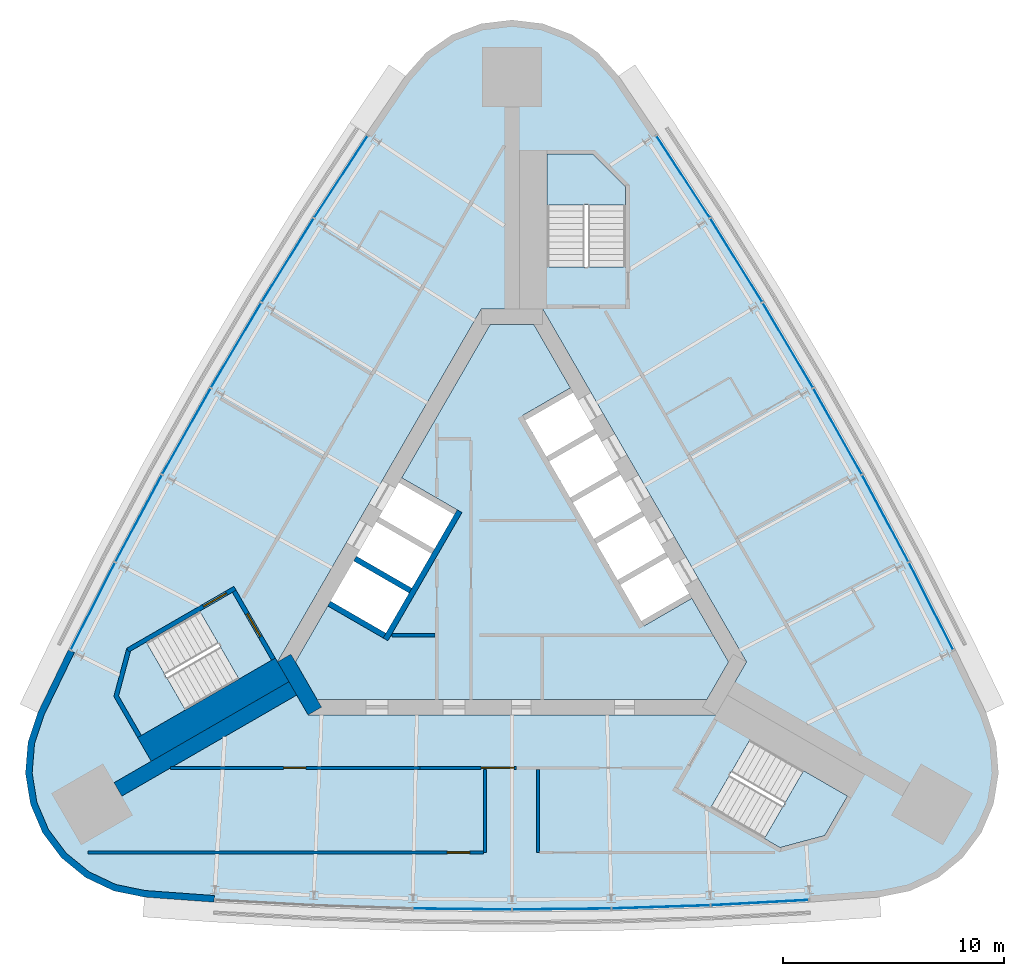
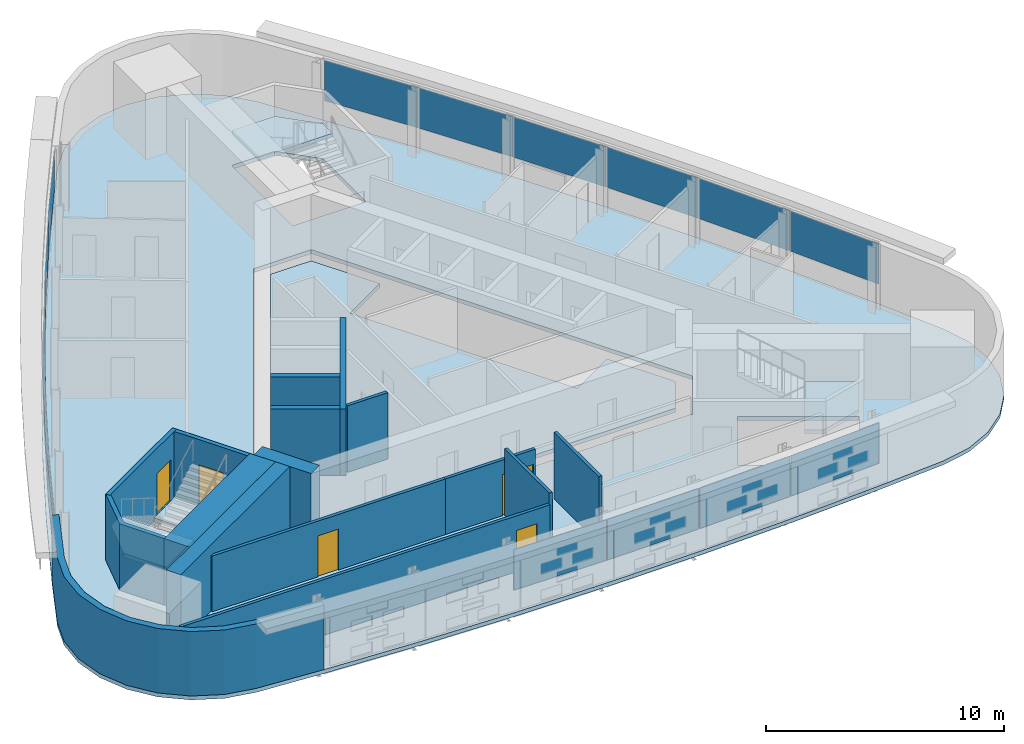
# One storey, part 6 of 10: 16 plates, 16 walls, 5 doors, 5 slabs, 5 openings, 6 elements without a shape of their own.
"""IFC4 building model written with IfcOpenShell, lengths in metres."""

from ifc_helpers import new_model, si_unit, direction, frame, frame_2d, origin, origin_2d, place, context, subcontext, project, spatial, polyline, rectangle, outline, extrude, material, layer, layer_set, type_object, element, fill, aggregate, save


model = new_model("IFC4")

# Units and contexts
model_context = context("Model", 3, precision=1e-05, world=origin(), true_north=direction((0.0, 1.0)))
body_context = subcontext(model_context, "Body", "Model", "MODEL_VIEW")
ifc_project = project(units=[si_unit("LENGTHUNIT", "METRE"), si_unit("AREAUNIT", "SQUARE_METRE"), si_unit("VOLUMEUNIT", "CUBIC_METRE"), si_unit("PLANEANGLEUNIT", "RADIAN"), si_unit("MASSUNIT", "GRAM", prefix="KILO")], contexts=[model_context])

# Site, building, storey
site_placement = place(None, origin())
site = spatial("IfcSite", under=ifc_project, at=site_placement, CompositionType="ELEMENT")
building_placement = place(site_placement, origin())
building = spatial("IfcBuilding", under=site, at=building_placement, Name="Noor Cloister Tower", CompositionType="ELEMENT")
storey_placement = place(building_placement, frame((0.0, 0.0, 199.5)))
storey = spatial("IfcBuildingStorey", under=building, at=storey_placement, Name="L51", CompositionType="ELEMENT", Elevation=199.5)

# Slabs
ifc_material_1 = material(Name="Concrete C40/50", Category="concrete")
ifc_layer_1 = layer(ifc_material_1, 0.199951171875)
ifc_layer_set_1 = layer_set([ifc_layer_1], Name="Core floor slab 200 C40/50")
slab_type_1 = type_object("IfcSlabType", Name="Core floor slab 200 C40/50", PredefinedType="FLOOR", material=ifc_layer_set_1)
slab_1_placement = place(storey_placement, frame((0.0, 0.0, -0.199951171875)))
element("IfcSlab", 1, at=slab_1_placement, inside=storey, type_object=slab_type_1, Name="Core floor L51", PredefinedType="FLOOR", context=body_context, shape_type="SweptSolid", body=[
    extrude(outline(polyline([(2.643798828125, 7.877197265625), (0.9814453125, 10.75634765625), (-0.9814453125, 10.75634765625), (-4.993896484375, 3.806884765625), (-2.482421875, 2.35693359375), (-5.832275390625, -3.4453125), (-8.34375, -1.995361328125), (-9.80615234375, -4.5283203125), (-8.82470703125, -6.228271484375), (8.82470703125, -6.228271484375), (9.80615234375, -4.5283203125), (8.143798828125, -1.64892578125), (5.978759765625, -2.89892578125), (0.478759765625, 6.627197265625), (2.643798828125, 7.877197265625)])), origin(), (0.0, 0.0, 1.0), 0.199951171875),
])
ifc_material_2 = material(Name="Concrete C40/50", Category="concrete")
ifc_layer_2 = layer(ifc_material_2, 0.199951171875)
ifc_layer_set_2 = layer_set([ifc_layer_2], Name="Floor slab 200 C40/50")
slab_type_2 = type_object("IfcSlabType", Name="Floor slab 200 C40/50", PredefinedType="FLOOR", material=ifc_layer_set_2)
slab_2_placement = place(storey_placement, frame((0.0, 0.0, -0.199951171875)))
element("IfcSlab", 2, at=slab_2_placement, inside=storey, type_object=slab_type_2, Name="Floor slab L51", PredefinedType="FLOOR", context=body_context, shape_type="SweptSolid", body=[
    extrude(outline(polyline([(4.82177734375, 21.9990234375), (3.88525390625, 23.056884765625), (2.72314453125, 23.859619140625), (1.40234375, 24.36083984375), (0.0, 24.531005859375), (-1.40234375, 24.36083984375), (-2.72314453125, 23.859619140625), (-3.88525390625, 23.056884765625), (-4.82177734375, 21.9990234375), (-6.59521484375, 19.38525390625), (-9.052490234375, 15.615478515625), (-11.427734375, 11.79345703125), (-13.7197265625, 7.921142578125), (-15.927490234375, 4.0), (-18.0498046875, 0.031982421875), (-20.085693359375, -3.98095703125), (-21.462646484375, -6.823974609375), (-21.910400390625, -8.16357421875), (-22.024658203125, -9.571533203125), (-21.798095703125, -10.966064453125), (-21.24462890625, -12.265625), (-20.39599609375, -13.394775390625), (-19.301513671875, -14.2880859375), (-18.025146484375, -14.893310546875), (-16.640869140625, -15.17529296875), (-13.490478515625, -15.404052734375), (-8.9970703125, -15.6474609375), (-4.499755859375, -15.79345703125), (0.0, -15.84228515625), (4.499755859375, -15.79345703125), (8.9970703125, -15.6474609375), (13.490478515625, -15.404052734375), (16.640869140625, -15.17529296875), (18.025146484375, -14.893310546875), (19.301513671875, -14.2880859375), (20.39599609375, -13.394775390625), (21.24462890625, -12.265625), (21.798095703125, -10.966064453125), (22.024658203125, -9.571533203125), (21.910400390625, -8.16357421875), (21.462646484375, -6.823974609375), (20.085693359375, -3.98095703125), (18.0498046875, 0.031982421875), (15.927490234375, 4.0), (13.7197265625, 7.921142578125), (11.427734375, 11.79345703125), (9.052490234375, 15.615478515625), (6.59521484375, 19.38525390625), (4.82177734375, 21.9990234375)]), holes=[polyline([(8.999755859375, -11.126220703125), (12.131591796875, -12.934326171875), (14.1572265625, -12.3916015625), (15.19091796875, -10.601318359375), (10.774658203125, -8.0517578125), (8.999755859375, -11.126220703125)]), polyline([(-17.81005859375, -6.064697265625), (-16.776611328125, -7.85498046875), (-12.3603515625, -5.305419921875), (-14.13525390625, -2.23095703125), (-16.662841796875, -3.690185546875), (-17.267333984375, -4.039306640625), (-17.81005859375, -6.064697265625)]), polyline([(-10.6142578125, -4.5283203125), (-9.228759765625, -6.92822265625), (9.228759765625, -6.92822265625), (10.6142578125, -4.5283203125), (1.3857421875, 11.456298828125), (-1.3857421875, 11.456298828125), (-10.6142578125, -4.5283203125)]), polyline([(3.65283203125, 18.456298828125), (1.585693359375, 18.456298828125), (1.585693359375, 13.35693359375), (5.135498046875, 13.35693359375), (5.135498046875, 16.9736328125), (3.65283203125, 18.456298828125)])]), origin(), (0.0, 0.0, 1.0), 0.199951171875),
])

# Curtain wall, plates
ifc_material_3 = material(Name="Aluminium 6063-T6 anodised", Category="aluminium")
curtain_wall_type = type_object("IfcCurtainWallType", Name="Ribbon curtain wall, upper tower CW5", PredefinedType="NOTDEFINED", material=ifc_material_3)
curtain_wall_1_placement = place(storey_placement, origin())
curtain_wall_1 = element("IfcCurtainWall", 3, at=curtain_wall_1_placement, inside=storey, type_object=curtain_wall_type, Name="CW5 L51 NW run 1", PredefinedType="NOTDEFINED")
ifc_material_4 = material(Name="Clear laminated glass 2 x 8 mm", Category="glass")
ifc_layer_3 = layer(ifc_material_4, 0.028076171875)
ifc_layer_set_3 = layer_set([ifc_layer_3], Name="Glass panel CW5")
plate_type = type_object("IfcPlateType", Name="Glass panel CW5", PredefinedType="CURTAIN_PANEL", material=ifc_layer_set_3)
plate_1_placement = place(storey_placement, frame((-7.749267578125, 17.431640625, 1.08984375), z_axis=(0.0, 0.0, 1.0), x_axis=(-0.546098188804, -0.837721175681, 0.0)))
plate_1 = element("IfcPlate", 4, at=plate_1_placement, type_object=plate_type, Name="CW5 glass panel 1", PredefinedType="CURTAIN_PANEL", context=body_context, shape_type="SweptSolid", body=[
    extrude(rectangle(XDim=4.413818359375, YDim=0.028076171875, at=origin_2d()), origin(), (0.0, 0.0, 1.0), 2.070068359375),
])
plate_2_placement = place(storey_placement, frame((-10.1552734375, 13.65185546875, 1.08984375), z_axis=(0.0, 0.0, 1.0), x_axis=(-0.527843214256, -0.84934182822, 0.0)))
plate_2 = element("IfcPlate", 5, at=plate_2_placement, type_object=plate_type, Name="CW5 glass panel 2", PredefinedType="CURTAIN_PANEL", context=body_context, shape_type="SweptSolid", body=[
    extrude(rectangle(XDim=4.44775390625, YDim=0.028076171875, at=origin_2d()), origin(), (0.0, 0.0, 1.0), 2.070068359375),
])
plate_3_placement = place(storey_placement, frame((-12.48779296875, 9.806396484375, 1.08984375), z_axis=(0.0, 0.0, 1.0), x_axis=(-0.509341059356, -0.860564747857, 0.0)))
plate_3 = element("IfcPlate", 6, at=plate_3_placement, type_object=plate_type, Name="CW5 glass panel 3", PredefinedType="CURTAIN_PANEL", context=body_context, shape_type="SweptSolid", body=[
    extrude(rectangle(XDim=4.44775390625, YDim=0.028076171875, at=origin_2d()), origin(), (0.0, 0.0, 1.0), 2.070068359375),
])
plate_4_placement = place(storey_placement, frame((-14.736328125, 5.911376953125, 1.08984375), z_axis=(0.0, 0.0, 1.0), x_axis=(-0.490600403568, -0.871384670521, 0.0)))
plate_4 = element("IfcPlate", 7, at=plate_4_placement, type_object=plate_type, Name="CW5 glass panel 4", PredefinedType="CURTAIN_PANEL", context=body_context, shape_type="SweptSolid", body=[
    extrude(rectangle(XDim=4.44775390625, YDim=0.028076171875, at=origin_2d()), origin(), (0.0, 0.0, 1.0), 2.070068359375),
])
plate_5_placement = place(storey_placement, frame((-16.900390625, 1.96875, 1.08984375), z_axis=(0.0, 0.0, 1.0), x_axis=(-0.471629992607, -0.881796546871, 0.0)))
plate_5 = element("IfcPlate", 8, at=plate_5_placement, type_object=plate_type, Name="CW5 glass panel 5", PredefinedType="CURTAIN_PANEL", context=body_context, shape_type="SweptSolid", body=[
    extrude(rectangle(XDim=4.44775390625, YDim=0.028076171875, at=origin_2d()), origin(), (0.0, 0.0, 1.0), 2.070068359375),
])
plate_6_placement = place(storey_placement, frame((-18.970703125, -2.004638671875, 1.08984375), z_axis=(0.0, 0.0, 1.0), x_axis=(-0.452438725026, -0.891795492306, 0.0)))
plate_6 = element("IfcPlate", 9, at=plate_6_placement, type_object=plate_type, Name="CW5 glass panel 6", PredefinedType="CURTAIN_PANEL", context=body_context, shape_type="SweptSolid", body=[
    extrude(rectangle(XDim=4.413818359375, YDim=0.028076171875, at=origin_2d()), origin(), (0.0, 0.0, 1.0), 2.070068359375),
])
aggregate(curtain_wall_1, [plate_1, plate_2, plate_3, plate_4, plate_5, plate_6])

curtain_wall_2_placement = place(storey_placement, origin())
curtain_wall_2 = element("IfcCurtainWall", 10, at=curtain_wall_2_placement, inside=storey, type_object=curtain_wall_type, Name="CW5 L51 S run 2", PredefinedType="NOTDEFINED")
plate_7_placement = place(storey_placement, frame((-2.248779296875, -15.7177734375, 1.08984375), z_axis=(0.0, 0.0, 1.0), x_axis=(0.999941462923, -0.010819922664, 0.0)))
plate_7 = element("IfcPlate", 11, at=plate_7_placement, type_object=plate_type, Name="CW5 glass panel 3", PredefinedType="CURTAIN_PANEL", context=body_context, shape_type="SweptSolid", body=[
    extrude(rectangle(XDim=4.44775390625, YDim=0.028076171875, at=origin_2d()), origin(), (0.0, 0.0, 1.0), 2.070068359375),
])
plate_8_placement = place(storey_placement, frame((2.248779296875, -15.7177734375, 1.08984375), z_axis=(0.0, 0.0, 1.0), x_axis=(0.999941462923, 0.010819922664, 0.0)))
plate_8 = element("IfcPlate", 12, at=plate_8_placement, type_object=plate_type, Name="CW5 glass panel 4", PredefinedType="CURTAIN_PANEL", context=body_context, shape_type="SweptSolid", body=[
    extrude(rectangle(XDim=4.44775390625, YDim=0.028076171875, at=origin_2d()), origin(), (0.0, 0.0, 1.0), 2.070068359375),
])
plate_9_placement = place(storey_placement, frame((6.7451171875, -15.62060546875, 1.08984375), z_axis=(0.0, 0.0, 1.0), x_axis=(0.999473206863, 0.032454718651, 0.0)))
plate_9 = element("IfcPlate", 13, at=plate_9_placement, type_object=plate_type, Name="CW5 glass panel 5", PredefinedType="CURTAIN_PANEL", context=body_context, shape_type="SweptSolid", body=[
    extrude(rectangle(XDim=4.44775390625, YDim=0.028076171875, at=origin_2d()), origin(), (0.0, 0.0, 1.0), 2.070068359375),
])
plate_10_placement = place(storey_placement, frame((11.221435546875, -15.4267578125, 1.08984375), z_axis=(0.0, 0.0, 1.0), x_axis=(0.99853691383, 0.054074316624, 0.0)))
plate_10 = element("IfcPlate", 14, at=plate_10_placement, type_object=plate_type, Name="CW5 glass panel 6", PredefinedType="CURTAIN_PANEL", context=body_context, shape_type="SweptSolid", body=[
    extrude(rectangle(XDim=4.413818359375, YDim=0.028076171875, at=origin_2d()), origin(), (0.0, 0.0, 1.0), 2.070068359375),
])
aggregate(curtain_wall_2, [plate_7, plate_8, plate_9, plate_10])

curtain_wall_3_placement = place(storey_placement, origin())
curtain_wall_3 = element("IfcCurtainWall", 15, at=curtain_wall_3_placement, inside=storey, type_object=curtain_wall_type, Name="CW5 L51 NE run 3", PredefinedType="NOTDEFINED")
plate_11_placement = place(storey_placement, frame((18.970703125, -2.004638671875, 1.08984375), z_axis=(0.0, 0.0, 1.0), x_axis=(-0.452438725026, 0.891795492306, 0.0)))
plate_11 = element("IfcPlate", 16, at=plate_11_placement, type_object=plate_type, Name="CW5 glass panel 1", PredefinedType="CURTAIN_PANEL", context=body_context, shape_type="SweptSolid", body=[
    extrude(rectangle(XDim=4.413818359375, YDim=0.028076171875, at=origin_2d()), origin(), (0.0, 0.0, 1.0), 2.070068359375),
])
plate_12_placement = place(storey_placement, frame((16.900390625, 1.96875, 1.08984375), z_axis=(0.0, 0.0, 1.0), x_axis=(-0.471629992607, 0.881796546871, 0.0)))
plate_12 = element("IfcPlate", 17, at=plate_12_placement, type_object=plate_type, Name="CW5 glass panel 2", PredefinedType="CURTAIN_PANEL", context=body_context, shape_type="SweptSolid", body=[
    extrude(rectangle(XDim=4.44775390625, YDim=0.028076171875, at=origin_2d()), origin(), (0.0, 0.0, 1.0), 2.070068359375),
])
plate_13_placement = place(storey_placement, frame((14.736328125, 5.911376953125, 1.08984375), z_axis=(0.0, 0.0, 1.0), x_axis=(-0.490600403568, 0.871384670521, 0.0)))
plate_13 = element("IfcPlate", 18, at=plate_13_placement, type_object=plate_type, Name="CW5 glass panel 3", PredefinedType="CURTAIN_PANEL", context=body_context, shape_type="SweptSolid", body=[
    extrude(rectangle(XDim=4.44775390625, YDim=0.028076171875, at=origin_2d()), origin(), (0.0, 0.0, 1.0), 2.070068359375),
])
plate_14_placement = place(storey_placement, frame((12.48779296875, 9.806396484375, 1.08984375), z_axis=(0.0, 0.0, 1.0), x_axis=(-0.509341059356, 0.860564747857, 0.0)))
plate_14 = element("IfcPlate", 19, at=plate_14_placement, type_object=plate_type, Name="CW5 glass panel 4", PredefinedType="CURTAIN_PANEL", context=body_context, shape_type="SweptSolid", body=[
    extrude(rectangle(XDim=4.44775390625, YDim=0.028076171875, at=origin_2d()), origin(), (0.0, 0.0, 1.0), 2.070068359375),
])
plate_15_placement = place(storey_placement, frame((10.1552734375, 13.65185546875, 1.08984375), z_axis=(0.0, 0.0, 1.0), x_axis=(-0.527843214256, 0.84934182822, 0.0)))
plate_15 = element("IfcPlate", 20, at=plate_15_placement, type_object=plate_type, Name="CW5 glass panel 5", PredefinedType="CURTAIN_PANEL", context=body_context, shape_type="SweptSolid", body=[
    extrude(rectangle(XDim=4.44775390625, YDim=0.028076171875, at=origin_2d()), origin(), (0.0, 0.0, 1.0), 2.070068359375),
])
plate_16_placement = place(storey_placement, frame((7.749267578125, 17.431640625, 1.08984375), z_axis=(0.0, 0.0, 1.0), x_axis=(-0.546098188804, 0.837721175681, 0.0)))
plate_16 = element("IfcPlate", 21, at=plate_16_placement, type_object=plate_type, Name="CW5 glass panel 6", PredefinedType="CURTAIN_PANEL", context=body_context, shape_type="SweptSolid", body=[
    extrude(rectangle(XDim=4.413818359375, YDim=0.028076171875, at=origin_2d()), origin(), (0.0, 0.0, 1.0), 2.070068359375),
])
aggregate(curtain_wall_3, [plate_11, plate_12, plate_13, plate_14, plate_15, plate_16])

# Stair, slab
ifc_material_5 = material(Name="Concrete C40/50", Category="concrete")
stair_type = type_object("IfcStairType", Name="Exit stair 22 risers", PredefinedType="HALF_TURN_STAIR", material=ifc_material_5)
stair_1_placement = place(storey_placement, origin())
stair_1 = element("IfcStair", 22, at=stair_1_placement, inside=storey, type_object=stair_type, Name="Exit stair ST1 L51", PredefinedType="HALF_TURN_STAIR")
ifc_material_6 = material(Name="Concrete C40/50", Category="concrete")
ifc_layer_4 = layer(ifc_material_6, 0.199951171875)
ifc_layer_set_4 = layer_set([ifc_layer_4], Name="Stair landing 200 C40/50")
slab_type_3 = type_object("IfcSlabType", Name="Stair landing 200 C40/50", PredefinedType="LANDING", material=ifc_layer_set_4)
slab_3_placement = place(storey_placement, frame((0.0, 0.0, 1.60009765625)))
slab_3 = element("IfcSlab", 23, at=slab_3_placement, type_object=slab_type_3, Name="ST1 landing 1", PredefinedType="LANDING", context=body_context, shape_type="SweptSolid", body=[
    extrude(outline(polyline([(5.135498046875, 16.15576171875), (5.135498046875, 16.9736328125), (3.65283203125, 18.456298828125), (1.585693359375, 18.456298828125), (1.585693359375, 16.15576171875), (5.135498046875, 16.15576171875)])), origin(), (0.0, 0.0, 1.0), 0.199951171875),
])
aggregate(stair_1, [slab_3])

stair_2_placement = place(storey_placement, origin())
stair_2 = element("IfcStair", 24, at=stair_2_placement, inside=storey, type_object=stair_type, Name="Exit stair ST2 L51", PredefinedType="HALF_TURN_STAIR")
slab_4_placement = place(storey_placement, frame((0.0, 0.0, 1.60009765625)))
slab_4 = element("IfcSlab", 25, at=slab_4_placement, type_object=slab_type_3, Name="ST2 landing 1", PredefinedType="LANDING", context=body_context, shape_type="SweptSolid", body=[
    extrude(outline(polyline([(-16.55908203125, -3.63037109375), (-17.267333984375, -4.039306640625), (-17.81005859375, -6.064697265625), (-16.776611328125, -7.85498046875), (-14.7841796875, -6.70458984375), (-16.55908203125, -3.63037109375)])), origin(), (0.0, 0.0, 1.0), 0.199951171875),
])
aggregate(stair_2, [slab_4])

stair_3_placement = place(storey_placement, origin())
stair_3 = element("IfcStair", 26, at=stair_3_placement, inside=storey, type_object=stair_type, Name="Exit stair ST3 L51", PredefinedType="HALF_TURN_STAIR")
slab_5_placement = place(storey_placement, frame((0.0, 0.0, 1.60009765625)))
slab_5 = element("IfcSlab", 27, at=slab_5_placement, type_object=slab_type_3, Name="ST3 landing 1", PredefinedType="LANDING", context=body_context, shape_type="SweptSolid", body=[
    extrude(outline(polyline([(11.423583984375, -12.525390625), (12.131591796875, -12.934326171875), (14.1572265625, -12.3916015625), (15.19091796875, -10.601318359375), (13.198486328125, -9.451171875), (11.423583984375, -12.525390625)])), origin(), (0.0, 0.0, 1.0), 0.199951171875),
])
aggregate(stair_3, [slab_5])

# Walls
ifc_material_7 = material(Name="Concrete C70/85", Category="concrete")
ifc_layer_5 = layer(ifc_material_7, 0.699951171875)
ifc_layer_set_5 = layer_set([ifc_layer_5], Name="Buttress wall 700 C70/85")
wall_type_1 = type_object("IfcWallType", Name="Buttress wall 700 C70/85", PredefinedType="SHEAR", material=ifc_layer_set_5)
wall_1_placement = place(storey_placement, frame((-9.921630859375, -5.728271484375, -0.199951171875), z_axis=(0.0, 0.0, 1.0), x_axis=(-0.866026421479, -0.499998237297, 0.0)))
element("IfcWall", 28, at=wall_1_placement, inside=storey, type_object=wall_type_1, Name="Buttress wall SW L51", PredefinedType="SHEAR", context=body_context, shape_type="SweptSolid", body=[
    extrude(rectangle(XDim=9.14453125, YDim=0.699951171875, at=frame_2d((4.572265625, 0.0))), origin(), (0.0, 0.0, 1.0), 3.599853515625),
])
ifc_material_8 = material(Name="Concrete C30/37", Category="concrete")
ifc_layer_6 = layer(ifc_material_8, 0.14990234375)
ifc_layer_set_6 = layer_set([ifc_layer_6], Name="Core partition 150 C30/37")
wall_type_2 = type_object("IfcWallType", Name="Core partition 150 C30/37", PredefinedType="PARTITIONING", material=ifc_layer_set_6)
wall_2_placement = place(storey_placement, frame((-5.430908203125, -3.328125, 0.0), z_axis=(0.0, 0.0, 1.0), x_axis=(1.0, 0.0, 0.0)))
element("IfcWall", 29, at=wall_2_placement, inside=storey, type_object=wall_type_2, Name="Core room partition L51 1", PredefinedType="PARTITIONING", context=body_context, shape_type="SweptSolid", body=[
    extrude(rectangle(XDim=1.9521484375, YDim=0.14990234375, at=frame_2d((0.97607421875, 0.0))), origin(), (0.0, 0.0, 1.0), 3.39990234375),
])
ifc_material_9 = material(Name="Concrete C70/85", Category="concrete")
ifc_layer_7 = layer(ifc_material_9, 0.699951171875)
ifc_layer_set_7 = layer_set([ifc_layer_7], Name="Core wall 700 C70/85")
wall_type_3 = type_object("IfcWallType", Name="Core wall 700 C70/85", PredefinedType="SHEAR", material=ifc_layer_set_7)
wall_3_placement = place(storey_placement, frame((-10.311279296875, -4.353271484375, -0.199951171875), z_axis=(0.0, 0.0, 1.0), x_axis=(0.500042739161, -0.866000726912, 0.0)))
element("IfcWall", 30, at=wall_3_placement, inside=storey, type_object=wall_type_3, Name="Core wall L51 6", PredefinedType="SHEAR", context=body_context, shape_type="SweptSolid", body=[
    extrude(rectangle(XDim=2.771240234375, YDim=0.699951171875, at=frame_2d((1.3857421875, 0.0))), origin(), (0.0, 0.0, 1.0), 3.599853515625),
])

# Wall, opening, door
ifc_material_10 = material(Name="Gypsum board partition on steel studs, 150 mm", Category="steel")
ifc_layer_8 = layer(ifc_material_10, 0.14990234375)
ifc_layer_set_8 = layer_set([ifc_layer_8], Name="Flat wall 150")
wall_type_4 = type_object("IfcWallType", Name="Flat wall 150", PredefinedType="PARTITIONING", material=ifc_layer_set_8)
wall_4_placement = place(storey_placement, frame((-15.45703125, -9.328125, 0.0), z_axis=(0.0, 0.0, 1.0), x_axis=(1.0, 0.0, 0.0)))
wall_4 = element("IfcWall", 31, at=wall_4_placement, inside=storey, type_object=wall_type_4, Name="Wall L51-W11", PredefinedType="PARTITIONING", context=body_context, shape_type="SweptSolid", body=[
    extrude(rectangle(XDim=11.29736328125, YDim=0.14990234375, at=frame_2d((5.648681640625, 0.0))), origin(), (0.0, 0.0, 1.0), 2.85205078125),
])
opening_1_placement = place(wall_4_placement, frame((5.12353515625, 0.0, 0.0)))
opening_1 = element("IfcOpeningElement", 32, at=opening_1_placement, cuts=wall_4, Name="Opening L51-009", PredefinedType="OPENING", context=body_context, shape_type="SweptSolid", body=[
    extrude(rectangle(XDim=1.0, YDim=2.10009765625, at=frame_2d((0.5, 1.050048828125))), frame((0.0, 0.0849609375, 0.0), z_axis=(0.0, -1.0, 0.0), x_axis=(1.0, 0.0, 0.0)), (0.0, 0.0, 1.0), 0.169921875),
])
ifc_material_11 = material(Name="Timber door leaf with steel frame", Category="steel")
door_type_1 = type_object("IfcDoorType", Name="Interior door 1000 FD60", OperationType="NOTDEFINED", PredefinedType="DOOR", material=ifc_material_11)
door_1_placement = place(opening_1_placement, origin())
door_1 = element("IfcDoor", 33, at=door_1_placement, inside=storey, type_object=door_type_1, Name="Door L51-009", OperationType="SINGLE_SWING_LEFT", OverallHeight=2.10009765625, OverallWidth=1.0, PredefinedType="DOOR", context=body_context, shape_type="SweptSolid", body=[
    extrude(rectangle(XDim=1.0, YDim=2.10009765625, at=frame_2d((0.5, 1.050048828125))), frame((0.0, 0.02490234375, 0.0), z_axis=(0.0, -1.0, 0.0), x_axis=(1.0, 0.0, 0.0)), (0.0, 0.0, 1.0), 0.050048828125),
])
fill(opening_1, door_1)

wall_5_placement = place(storey_placement, frame((-4.15966796875, -9.328125, 0.0), z_axis=(0.0, 0.0, 1.0), x_axis=(1.0, 0.0, 0.0)))
wall_5 = element("IfcWall", 34, at=wall_5_placement, inside=storey, type_object=wall_type_4, Name="Wall L51-W13", PredefinedType="PARTITIONING", context=body_context, shape_type="SweptSolid", body=[
    extrude(rectangle(XDim=4.359619140625, YDim=0.14990234375, at=frame_2d((2.1796875, 0.0))), origin(), (0.0, 0.0, 1.0), 2.85205078125),
])
opening_2_placement = place(wall_5_placement, frame((2.759765625, 0.0, 0.0)))
opening_2 = element("IfcOpeningElement", 35, at=opening_2_placement, cuts=wall_5, Name="Opening L51-007", PredefinedType="OPENING", context=body_context, shape_type="SweptSolid", body=[
    extrude(rectangle(XDim=1.5, YDim=2.10009765625, at=frame_2d((0.75, 1.050048828125))), frame((0.0, 0.0849609375, 0.0), z_axis=(0.0, -1.0, 0.0), x_axis=(1.0, 0.0, 0.0)), (0.0, 0.0, 1.0), 0.169921875),
])
ifc_material_12 = material(Name="Timber door leaf with steel frame", Category="steel")
door_type_2 = type_object("IfcDoorType", Name="Double door 1500 FD60", OperationType="NOTDEFINED", PredefinedType="DOOR", material=ifc_material_12)
door_2_placement = place(opening_2_placement, origin())
door_2 = element("IfcDoor", 36, at=door_2_placement, inside=storey, type_object=door_type_2, Name="Door L51-007", OperationType="DOUBLE_DOOR_SINGLE_SWING", OverallHeight=2.10009765625, OverallWidth=1.5, PredefinedType="DOOR", context=body_context, shape_type="SweptSolid", body=[
    extrude(rectangle(XDim=1.5, YDim=2.10009765625, at=frame_2d((0.75, 1.050048828125))), frame((0.0, 0.02490234375, 0.0), z_axis=(0.0, -1.0, 0.0), x_axis=(1.0, 0.0, 0.0)), (0.0, 0.0, 1.0), 0.050048828125),
])
fill(opening_2, door_2)

# Walls
for number, where, z_axis, x_axis, name in (
    (37, (-1.221435546875, -9.4033203125, 0.0), (0.0, 0.0, 1.0), (0.0, -1.0, 0.0), "Wall L51-W14"),
    (38, (1.1787109375, -9.4033203125, 0.0), (0.0, 0.0, 1.0), (0.0, -1.0, 0.0), "Wall L51-W15"),
):
    element("IfcWall", number, at=place(storey_placement, frame(where, z_axis=z_axis, x_axis=x_axis)), inside=storey, type_object=wall_type_4, Name=name, PredefinedType="PARTITIONING", context=body_context, shape_type="SweptSolid", body=[
        extrude(rectangle(XDim=3.752685546875, YDim=0.14990234375, at=frame_2d((1.87646484375, 0.0))), origin(), (0.0, 0.0, 1.0), 3.39990234375),
    ])

# Wall, opening, door
wall_6_placement = place(storey_placement, frame((-19.18701171875, -13.156005859375, 0.0), z_axis=(0.0, 0.0, 1.0), x_axis=(1.0, 0.0, 0.0)))
wall_6 = element("IfcWall", 39, at=wall_6_placement, inside=storey, type_object=wall_type_4, Name="Wall L51-W16", PredefinedType="PARTITIONING", context=body_context, shape_type="SweptSolid", body=[
    extrude(rectangle(XDim=17.890625, YDim=0.14990234375, at=frame_2d((8.9453125, 0.0))), origin(), (0.0, 0.0, 1.0), 2.85205078125),
])
opening_3_placement = place(wall_6_placement, frame((16.265625, 0.0, 0.0)))
opening_3 = element("IfcOpeningElement", 40, at=opening_3_placement, cuts=wall_6, Name="Opening L51-008", PredefinedType="OPENING", context=body_context, shape_type="SweptSolid", body=[
    extrude(rectangle(XDim=1.0, YDim=2.10009765625, at=frame_2d((0.5, 1.050048828125))), frame((0.0, 0.0849609375, 0.0), z_axis=(0.0, -1.0, 0.0), x_axis=(1.0, 0.0, 0.0)), (0.0, 0.0, 1.0), 0.169921875),
])
door_3_placement = place(opening_3_placement, origin())
door_3 = element("IfcDoor", 41, at=door_3_placement, inside=storey, type_object=door_type_1, Name="Door L51-008", OperationType="SINGLE_SWING_RIGHT", OverallHeight=2.10009765625, OverallWidth=1.0, PredefinedType="DOOR", context=body_context, shape_type="SweptSolid", body=[
    extrude(rectangle(XDim=1.0, YDim=2.10009765625, at=frame_2d((0.5, 1.050048828125))), frame((0.0, 0.02490234375, 0.0), z_axis=(0.0, -1.0, 0.0), x_axis=(1.0, 0.0, 0.0)), (0.0, 0.0, 1.0), 0.050048828125),
])
fill(opening_3, door_3)

# Walls
ifc_material_13 = material(Name="Limestone", Category="masonry")
ifc_layer_9 = layer(ifc_material_13, 0.300048828125)
ifc_layer_set_9 = layer_set([ifc_layer_9], Name="Limestone cladding 300")
wall_type_5 = type_object("IfcWallType", Name="Limestone cladding 300", PredefinedType="NOTDEFINED", material=ifc_layer_set_9)
wall_7_placement = place(storey_placement, origin())
element("IfcWall", 42, at=wall_7_placement, inside=storey, type_object=wall_type_5, Name="Limestone pier cladding L51 1.1", PredefinedType="NOTDEFINED", context=body_context, shape_type="SweptSolid", body=[
    extrude(outline(polyline([(-20.085693359375, -3.98095703125), (-21.462646484375, -6.823974609375), (-21.910400390625, -8.16357421875), (-22.024658203125, -9.571533203125), (-21.798095703125, -10.966064453125), (-21.24462890625, -12.265625), (-20.39599609375, -13.394775390625), (-19.301513671875, -14.2880859375), (-18.025146484375, -14.893310546875), (-16.640869140625, -15.17529296875), (-13.490478515625, -15.404052734375), (-13.46875, -15.10498046875), (-16.60009765625, -14.87744140625), (-17.929443359375, -14.6064453125), (-19.14013671875, -14.032470703125), (-20.177978515625, -13.185546875), (-20.98291015625, -12.114501953125), (-21.5078125, -10.8818359375), (-21.72265625, -9.5595703125), (-21.614501953125, -8.22412109375), (-21.184326171875, -6.937255859375), (-19.815673828125, -4.11181640625), (-20.085693359375, -3.98095703125)])), origin(), (0.0, 0.0, 1.0), 3.300048828125),
])
ifc_material_14 = material(Name="Concrete C70/85", Category="concrete")
ifc_layer_10 = layer(ifc_material_14, 0.25)
ifc_layer_set_10 = layer_set([ifc_layer_10], Name="Shaft wall 250 C70/85")
wall_type_6 = type_object("IfcWallType", Name="Shaft wall 250 C70/85", PredefinedType="PARTITIONING", material=ifc_layer_set_10)
for number, where, z_axis, x_axis, name in (
    (43, (-7.106201171875, 0.14794921875, -0.199951171875), (0.0, 0.0, 1.0), (0.866032775405, -0.499987231761, 0.0), "Lift shaft wall L51 NW 5"),
    (44, (-8.28125, -1.88720703125, -0.199951171875), (0.0, 0.0, 1.0), (0.866032775405, -0.499987231761, 0.0), "Lift shaft wall L51 NW 6"),
):
    element("IfcWall", number, at=place(storey_placement, frame(where, z_axis=z_axis, x_axis=x_axis)), inside=storey, type_object=wall_type_6, Name=name, PredefinedType="PARTITIONING", context=body_context, shape_type="SweptSolid", body=[
        extrude(rectangle(XDim=2.89990234375, YDim=0.25, at=frame_2d((1.449951171875, 0.0))), origin(), (0.0, 0.0, 1.0), 3.599853515625),
    ])
wall_8_placement = place(storey_placement, frame((-2.3740234375, 2.29443359375, 0.0), z_axis=(0.0, 0.0, 1.0), x_axis=(-0.500003174267, -0.866023571113, 0.0)))
element("IfcWall", 45, at=wall_8_placement, inside=storey, type_object=wall_type_6, Name="Lift shaft back wall L51 NW", PredefinedType="PARTITIONING", context=body_context, shape_type="SweptSolid", body=[
    extrude(rectangle(XDim=6.7001953125, YDim=0.25, at=frame_2d((3.35009765625, 0.0))), origin(), (0.0, 0.0, 1.0), 3.39990234375),
])
ifc_material_15 = material(Name="Concrete C70/85", Category="concrete")
ifc_layer_11 = layer(ifc_material_15, 1.236083984375)
ifc_layer_set_11 = layer_set([ifc_layer_11], Name="Stair enclosure wall 1236 C70/85")
wall_type_7 = type_object("IfcWallType", Name="Stair enclosure wall 1236 C70/85", PredefinedType="SHEAR", material=ifc_layer_set_11)
wall_9_placement = place(storey_placement, frame((-10.405517578125, -4.889892578125, -0.199951171875), z_axis=(0.0, 0.0, 1.0), x_axis=(-0.866018442252, -0.500012057535, 0.0)))
element("IfcWall", 46, at=wall_9_placement, inside=storey, type_object=wall_type_7, Name="Stair enclosure wall ST2 L51 riser side", PredefinedType="SHEAR", context=body_context, shape_type="SweptSolid", body=[
    extrude(rectangle(XDim=7.199951171875, YDim=1.235595703125, at=frame_2d((3.60009765625, 0.0))), origin(), (0.0, 0.0, 1.0), 3.599853515625),
])

# Wall, opening, door
ifc_material_16 = material(Name="Concrete C70/85", Category="concrete")
ifc_layer_12 = layer(ifc_material_16, 0.199951171875)
ifc_layer_set_12 = layer_set([ifc_layer_12], Name="Stair enclosure wall 200 C70/85")
wall_type_8 = type_object("IfcWallType", Name="Stair enclosure wall 200 C70/85", PredefinedType="SHEAR", material=ifc_layer_set_12)
wall_10_placement = place(storey_placement, frame((-12.575927734375, -1.33056640625, -0.199951171875), z_axis=(0.0, 0.0, 1.0), x_axis=(0.499970499736, -0.8660424351, 0.0)))
wall_10 = element("IfcWall", 47, at=wall_10_placement, inside=storey, type_object=wall_type_8, Name="Stair enclosure wall ST2 L51 near end", PredefinedType="SHEAR", context=body_context, shape_type="SweptSolid", body=[
    extrude(rectangle(XDim=3.550048828125, YDim=0.199951171875, at=frame_2d((1.77490234375, 0.0))), origin(), (0.0, 0.0, 1.0), 3.599853515625),
])
opening_4_placement = place(wall_10_placement, frame((1.175048828125, 0.0, 0.199951171875)))
opening_4 = element("IfcOpeningElement", 48, at=opening_4_placement, cuts=wall_10, Name="Opening L51-ST2L", PredefinedType="OPENING", context=body_context, shape_type="SweptSolid", body=[
    extrude(rectangle(XDim=1.199951171875, YDim=2.10009765625, at=frame_2d((0.60009765625, 1.050048828125))), frame((0.0, 0.10986328125, 0.0), z_axis=(0.0, -1.0, 0.0), x_axis=(1.0, 0.0, 0.0)), (0.0, 0.0, 1.0), 0.219970703125),
])
ifc_material_17 = material(Name="Steel", Category="steel")
door_type_3 = type_object("IfcDoorType", Name="Stair door 1200 x 2100 FD120", OperationType="SINGLE_SWING_LEFT", PredefinedType="DOOR", material=ifc_material_17)
door_4_placement = place(opening_4_placement, origin())
door_4 = element("IfcDoor", 49, at=door_4_placement, inside=storey, type_object=door_type_3, Name="Stair door ST2 L51", OperationType="SINGLE_SWING_RIGHT", OverallHeight=2.10009765625, OverallWidth=1.199951171875, PredefinedType="DOOR", context=body_context, shape_type="SweptSolid", body=[
    extrude(rectangle(XDim=1.199951171875, YDim=2.10009765625, at=frame_2d((0.60009765625, 1.050048828125))), frame((0.0, 0.02490234375, 0.0), z_axis=(0.0, -1.0, 0.0), x_axis=(1.0, 0.0, 0.0)), (0.0, 0.0, 1.0), 0.050048828125),
])
fill(opening_4, door_4)

wall_11_placement = place(storey_placement, frame((-12.539306640625, -1.194091796875, -0.199951171875), z_axis=(0.0, 0.0, 1.0), x_axis=(-0.866045472092, -0.499965239061, 0.0)))
wall_11 = element("IfcWall", 50, at=wall_11_placement, inside=storey, type_object=wall_type_8, Name="Stair enclosure wall ST2 L51 outer side", PredefinedType="SHEAR", context=body_context, shape_type="SweptSolid", body=[
    extrude(rectangle(XDim=5.60009765625, YDim=0.199951171875, at=frame_2d((2.800048828125, 0.0))), origin(), (0.0, 0.0, 1.0), 3.599853515625),
])
opening_5_placement = place(wall_11_placement, frame((0.449951171875, 0.0, 0.199951171875)))
opening_5 = element("IfcOpeningElement", 51, at=opening_5_placement, cuts=wall_11, Name="Opening L51-ST2C", PredefinedType="OPENING", context=body_context, shape_type="SweptSolid", body=[
    extrude(rectangle(XDim=1.199951171875, YDim=2.10009765625, at=frame_2d((0.60009765625, 1.050048828125))), frame((0.0, 0.10986328125, 0.0), z_axis=(0.0, -1.0, 0.0), x_axis=(1.0, 0.0, 0.0)), (0.0, 0.0, 1.0), 0.219970703125),
])
door_5_placement = place(opening_5_placement, origin())
door_5 = element("IfcDoor", 52, at=door_5_placement, inside=storey, type_object=door_type_3, Name="Stair door ST2 L51", OperationType="SINGLE_SWING_LEFT", OverallHeight=2.10009765625, OverallWidth=1.199951171875, PredefinedType="DOOR", context=body_context, shape_type="SweptSolid", body=[
    extrude(rectangle(XDim=1.199951171875, YDim=2.10009765625, at=frame_2d((0.60009765625, 1.050048828125))), frame((0.0, 0.02490234375, 0.0), z_axis=(0.0, -1.0, 0.0), x_axis=(1.0, 0.0, 0.0)), (0.0, 0.0, 1.0), 0.050048828125),
])
fill(opening_5, door_5)

# Wall
ifc_material_18 = material(Name="Concrete C70/85", Category="concrete")
wall_type_9 = type_object("IfcWallType", Name="Stair far end wall C70/85", PredefinedType="SHEAR", material=ifc_material_18)
wall_12_placement = place(storey_placement, frame((0.0, 0.0, -0.199951171875)))
element("IfcWall", 53, at=wall_12_placement, inside=storey, type_object=wall_type_9, Name="Stair enclosure wall ST2 L51 far end", PredefinedType="SHEAR", context=body_context, shape_type="SweptSolid", body=[
    extrude(outline(polyline([(-17.439208984375, -3.907470703125), (-18.024658203125, -6.093017578125), (-16.94970703125, -7.955078125), (-16.776611328125, -7.85498046875), (-17.81005859375, -6.064697265625), (-17.267333984375, -4.039306640625), (-17.339111328125, -4.08056640625), (-17.339111328125, -4.08056640625), (-17.339111328125, -4.08056640625), (-17.339111328125, -4.08056640625), (-17.339111328125, -4.08056640625), (-17.339111328125, -4.08056640625), (-17.339111328125, -4.08056640625), (-17.339111328125, -4.08056640625), (-17.339111328125, -4.08056640625), (-17.339111328125, -4.08056640625), (-17.339111328125, -4.08056640625), (-17.339111328125, -4.08056640625), (-17.339111328125, -4.08056640625), (-17.339111328125, -4.08056640625), (-17.339111328125, -4.08056640625), (-17.339111328125, -4.08056640625), (-17.339111328125, -4.08056640625), (-17.439208984375, -3.907470703125)])), origin(), (0.0, 0.0, 1.0), 3.599853515625),
])

save(model, "model.ifc")
